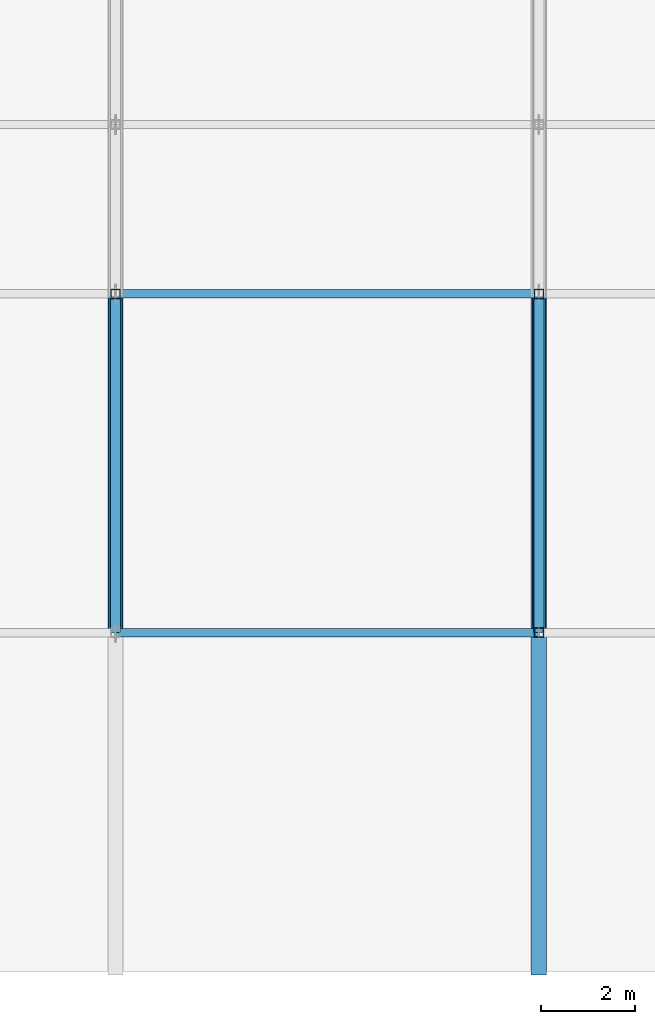
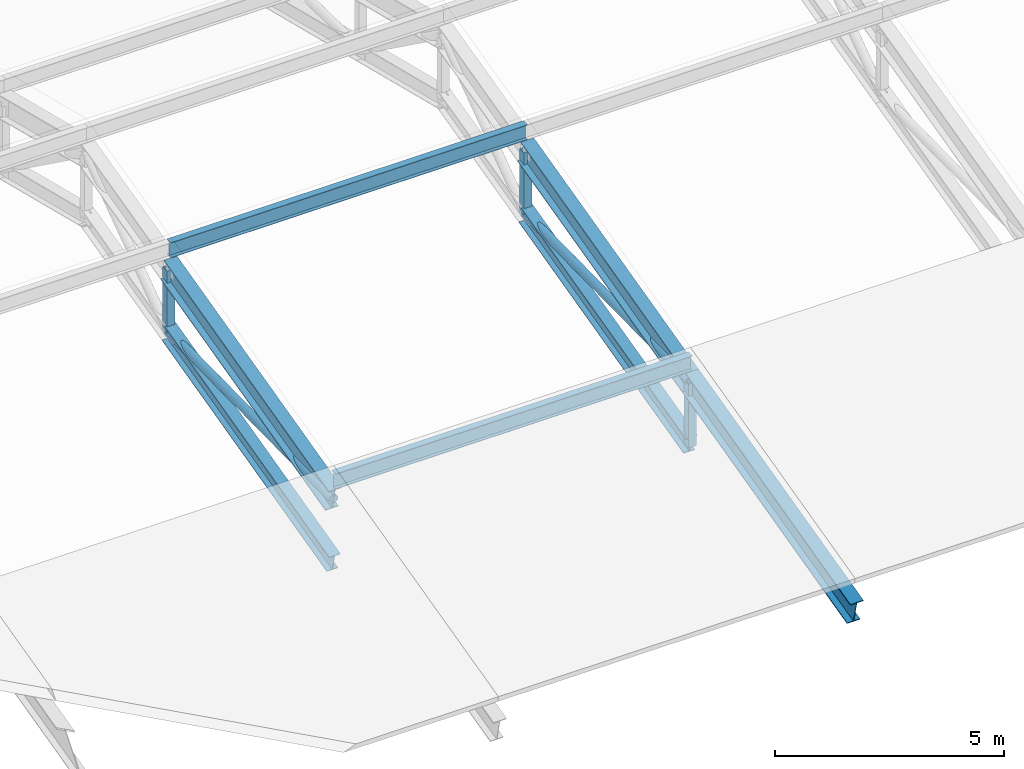
# One storey, part 39 of 124: 12 members.
"""IFC4 building model written with IfcOpenShell, lengths in metres."""

from ifc_helpers import new_model, si_unit, direction, frame, origin, origin_2d, place, context, subcontext, project, spatial, hollow_rectangle, hollow_circle, i_section, extrude, material, material_profile, profile_set, type_object, element, save


model = new_model("IFC4")

# Units and contexts
model_context = context("Model", 3, precision=1e-05, world=origin(), true_north=direction((0.0, 1.0)))
body_context = subcontext(model_context, "Body", "Model", "MODEL_VIEW")
ifc_project = project(units=[si_unit("LENGTHUNIT", "METRE"), si_unit("AREAUNIT", "SQUARE_METRE"), si_unit("VOLUMEUNIT", "CUBIC_METRE"), si_unit("PLANEANGLEUNIT", "RADIAN"), si_unit("MASSUNIT", "GRAM", prefix="KILO")], contexts=[model_context])

# Site, building, storey
site_placement = place(None, origin())
site = spatial("IfcSite", under=ifc_project, at=site_placement, CompositionType="ELEMENT")
building_placement = place(site_placement, origin())
building = spatial("IfcBuilding", under=site, at=building_placement, Name="Celestram Park Convention Centre", CompositionType="ELEMENT")
storey_placement = place(building_placement, frame((0.0, 0.0, 15.300048828125)))
storey = spatial("IfcBuildingStorey", under=building, at=storey_placement, Name="L03", CompositionType="ELEMENT", Elevation=15.300048828125)

# Members
ifc_material_1 = material(Name="Steel ASTM A500 Grade C", Category="steel")
ifc_material_profile_1 = material_profile(ifc_material_1, hollow_circle(Radius=0.109619140625, WallThickness=0.008056640625, at=origin_2d()), Name="CHS219X8")
ifc_profile_set_1 = profile_set([ifc_material_profile_1], Name="Steel ASTM A500 Grade C")
member_type_1 = type_object("IfcMemberType", Name="STR-BRC-CHS219", PredefinedType="BRACE", material=ifc_profile_set_1)
for number, where, z_axis, x_axis, name in (
    (1, (180.0, 7.199951171875, 0.907958984375), (0.0, 0.999903373607, 0.013901203187), (-1.0, 0.0, 0.0), "V3 arch web diagonal"),
    (2, (189.0, 7.199951171875, 0.907958984375), (0.0, 0.999903373607, 0.013901203187), (-1.0, 0.0, 0.0), "V3 arch web diagonal"),
):
    element("IfcMember", number, at=place(storey_placement, frame(where, z_axis=z_axis, x_axis=x_axis)), inside=storey, type_object=member_type_1, Name=name, PredefinedType="BRACE", context=body_context, shape_type="SweptSolid", body=[
        extrude(hollow_circle(Radius=0.109619140625, WallThickness=0.008056640625, at=origin_2d()), origin(), (0.0, 0.0, 1.0), 7.20068359375),
    ])
ifc_material_2 = material(Name="Steel ASTM A992 Grade 50", Category="steel")
ifc_material_profile_2 = material_profile(ifc_material_2, i_section(OverallWidth=0.281982421875, OverallDepth=0.467041015625, WebThickness=0.01220703125, FlangeThickness=0.01953125, at=origin_2d()), Name="W18X86")
ifc_profile_set_2 = profile_set([ifc_material_profile_2], Name="Steel ASTM A992 Grade 50")
member_type_2 = type_object("IfcMemberType", Name="STR-CHD-W18X86", PredefinedType="CHORD", material=ifc_profile_set_2)
for number, where, z_axis, x_axis, name in (
    (3, (180.0, 7.199951171875, -0.7919921875), (0.0, 0.970140565046, 0.242543365301), (-1.0, 0.0, 0.0), "V3 arch bottom chord"),
    (4, (189.0, 7.199951171875, -0.7919921875), (0.0, 0.970140565046, 0.242543365301), (-1.0, 0.0, 0.0), "V3 arch bottom chord"),
):
    element("IfcMember", number, at=place(storey_placement, frame(where, z_axis=z_axis, x_axis=x_axis)), inside=storey, type_object=member_type_2, Name=name, PredefinedType="CHORD", context=body_context, shape_type="SweptSolid", body=[
        extrude(i_section(OverallWidth=0.281982421875, OverallDepth=0.467041015625, WebThickness=0.01220703125, FlangeThickness=0.01953125, at=origin_2d()), origin(), (0.0, 0.0, 1.0), 7.421630859375),
    ])
ifc_material_profile_3 = material_profile(ifc_material_2, i_section(OverallWidth=0.327880859375, OverallDepth=0.6220703125, WebThickness=0.015380859375, FlangeThickness=0.0244140625, at=origin_2d()), Name="W24X131")
ifc_profile_set_3 = profile_set([ifc_material_profile_3], Name="Steel ASTM A992 Grade 50")
member_type_3 = type_object("IfcMemberType", Name="STR-CHD-W24X131", PredefinedType="CHORD", material=ifc_profile_set_3)
for number, where, z_axis, x_axis, name in (
    (5, (180.0, 7.199951171875, 0.907958984375), (0.0, 0.970140565046, 0.242543365301), (-1.0, 0.0, 0.0), "V3 arch top chord"),
    (6, (189.0, 0.0, -0.89208984375), (0.0, 0.970140565046, 0.242543365301), (-1.0, 0.0, 0.0), "V3 arch top chord"),
    (7, (189.0, 7.199951171875, 0.907958984375), (0.0, 0.970140565046, 0.242543365301), (-1.0, 0.0, 0.0), "V3 arch top chord"),
):
    element("IfcMember", number, at=place(storey_placement, frame(where, z_axis=z_axis, x_axis=x_axis)), inside=storey, type_object=member_type_3, Name=name, PredefinedType="CHORD", context=body_context, shape_type="SweptSolid", body=[
        extrude(i_section(OverallWidth=0.327880859375, OverallDepth=0.6220703125, WebThickness=0.015380859375, FlangeThickness=0.0244140625, at=origin_2d()), origin(), (0.0, 0.0, 1.0), 7.421630859375),
    ])
ifc_material_profile_4 = material_profile(ifc_material_2, i_section(OverallWidth=0.177978515625, OverallDepth=0.406005859375, WebThickness=0.0078125, FlangeThickness=0.0126953125, at=origin_2d()), Name="W16X40")
ifc_profile_set_4 = profile_set([ifc_material_profile_4], Name="Steel ASTM A992 Grade 50")
member_type_4 = type_object("IfcMemberType", Name="STR-RFT-W16X40", PredefinedType="RAFTER", material=ifc_profile_set_4)
for number, where, z_axis, x_axis, name in (
    (8, (180.0, 7.199951171875, 1.421875), (1.0, 0.0, 0.0), (0.0, 1.0, 0.0), "V3 roof purlin"),
    (9, (180.0, 14.39990234375, 3.221923828125), (1.0, 0.0, 0.0), (0.0, 1.0, 0.0), "V3 roof purlin"),
):
    element("IfcMember", number, at=place(storey_placement, frame(where, z_axis=z_axis, x_axis=x_axis)), inside=storey, type_object=member_type_4, Name=name, PredefinedType="RAFTER", context=body_context, shape_type="SweptSolid", body=[
        extrude(i_section(OverallWidth=0.177978515625, OverallDepth=0.406005859375, WebThickness=0.0078125, FlangeThickness=0.0126953125, at=origin_2d()), origin(), (0.0, 0.0, 1.0), 9.0),
    ])
ifc_material_profile_5 = material_profile(ifc_material_1, hollow_rectangle(XDim=0.199951171875, YDim=0.199951171875, WallThickness=0.010009765625, at=origin_2d()), Name="HSS200X200X10")
ifc_profile_set_5 = profile_set([ifc_material_profile_5], Name="Steel ASTM A500 Grade C")
member_type_5 = type_object("IfcMemberType", Name="STR-STR-HSS200", PredefinedType="STRUT", material=ifc_profile_set_5)
for number, where, z_axis, x_axis, name in (
    (10, (180.0, 14.39990234375, 1.008056640625), (0.0, 0.0, 1.0), (1.0, 0.0, 0.0), "V3 arch vertical strut"),
    (11, (189.0, 7.199951171875, -0.7919921875), (0.0, 0.0, 1.0), (1.0, 0.0, 0.0), "V3 arch vertical strut"),
    (12, (189.0, 14.39990234375, 1.008056640625), (0.0, 0.0, 1.0), (1.0, 0.0, 0.0), "V3 arch vertical strut"),
):
    element("IfcMember", number, at=place(storey_placement, frame(where, z_axis=z_axis, x_axis=x_axis)), inside=storey, type_object=member_type_5, Name=name, PredefinedType="STRUT", context=body_context, shape_type="SweptSolid", body=[
        extrude(hollow_rectangle(XDim=0.199951171875, YDim=0.199951171875, WallThickness=0.010009765625, at=origin_2d()), origin(), (0.0, 0.0, 1.0), 1.699951171875),
    ])

save(model, "model.ifc")
